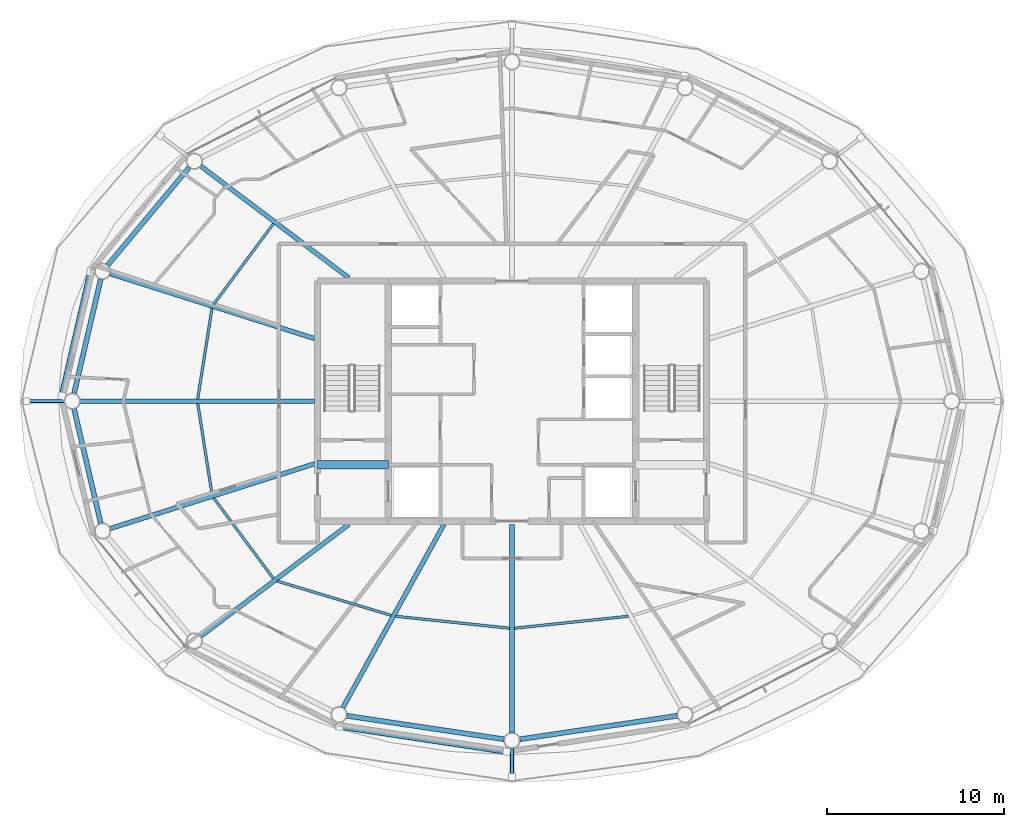
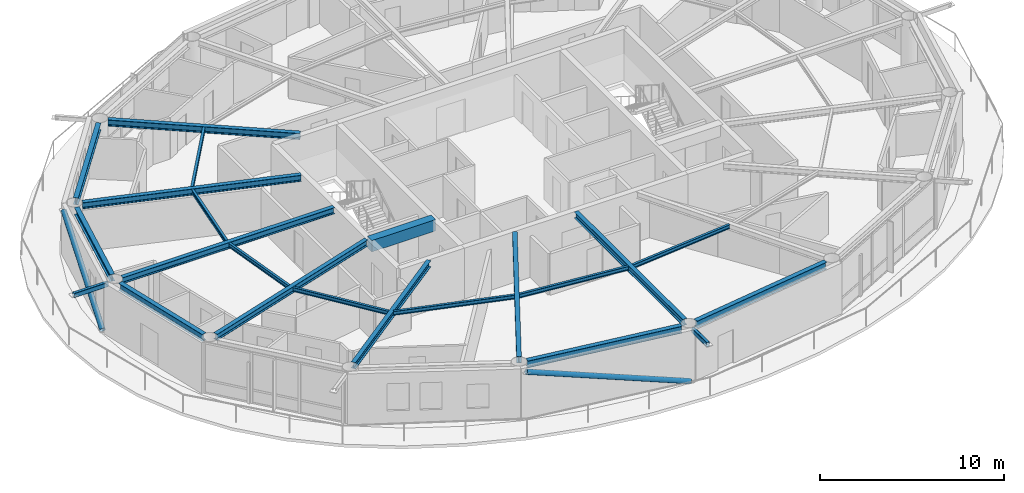
# One storey, part 4 of 22: 20 beams, 4 members.
"""IFC4 building model written with IfcOpenShell, lengths in metres."""

from ifc_helpers import new_model, si_unit, direction, frame, origin, origin_2d, place, context, subcontext, project, spatial, rectangle, hollow_rectangle, hollow_circle, i_section, extrude, material, material_profile, profile_set, type_object, element, save


model = new_model("IFC4")

# Units and contexts
model_context = context("Model", 3, precision=1e-05, world=origin(), true_north=direction((0.0, 1.0)))
body_context = subcontext(model_context, "Body", "Model", "MODEL_VIEW")
ifc_project = project(units=[si_unit("LENGTHUNIT", "METRE"), si_unit("AREAUNIT", "SQUARE_METRE"), si_unit("VOLUMEUNIT", "CUBIC_METRE"), si_unit("PLANEANGLEUNIT", "RADIAN"), si_unit("MASSUNIT", "GRAM", prefix="KILO")], contexts=[model_context])

# Site, building, storey
site_placement = place(None, origin())
site = spatial("IfcSite", under=ifc_project, at=site_placement, CompositionType="ELEMENT")
building_placement = place(site_placement, origin())
building = spatial("IfcBuilding", under=site, at=building_placement, Name="Sarneth Arch Tower", CompositionType="ELEMENT")
storey_placement = place(building_placement, frame((0.0, 0.0, 291.0)))
storey = spatial("IfcBuildingStorey", under=building, at=storey_placement, Name="L75", CompositionType="ELEMENT", Elevation=291.0)

# Beams
ifc_material_1 = material(Name="Steel S355", Category="steel")
ifc_material_profile_1 = material_profile(ifc_material_1, i_section(OverallWidth=0.14794921875, OverallDepth=0.26611328125, WebThickness=0.007568359375, FlangeThickness=0.012939453125, FilletRadius=0.012939453125, at=origin_2d()), Name="W250x44.8")
ifc_profile_set_1 = profile_set([ifc_material_profile_1], Name="Steel S355")
beam_type_1 = type_object("IfcBeamType", Name="BM-JOIST-250", PredefinedType="JOIST", material=ifc_profile_set_1)
beam_1_placement = place(storey_placement, frame((34.4970703125, 52.03564453125, 3.237060546875), z_axis=(-0.595712519616, -0.803197730309, 0.0), x_axis=(0.803197730309, -0.595712519616, 0.0)))
element("IfcBeam", 1, at=beam_1_placement, inside=storey, type_object=beam_type_1, Name="L75 Secondary floor joist 07", PredefinedType="JOIST", context=body_context, shape_type="SweptSolid", body=[
    extrude(i_section(OverallWidth=0.14794921875, OverallDepth=0.26611328125, WebThickness=0.007568359375, FlangeThickness=0.012939453125, FilletRadius=0.012939453125, at=origin_2d()), origin(), (0.0, 0.0, 1.0), 5.669189453125),
])
for number, where, z_axis, x_axis, name in (
    (2, (31.0224609375, 47.249267578125, 3.237060546875), (-0.155556266572, -0.987827033407, 0.0), (0.987827033407, -0.155556266572, 0.0), "L75 Secondary floor joist 08"),
    (3, (30.216064453125, 41.87158203125, 3.237060546875), (0.155556266572, -0.987827033407, 0.0), (0.987827033407, 0.155556266572, 0.0), "L75 Secondary floor joist 09"),
):
    element("IfcBeam", number, at=place(storey_placement, frame(where, z_axis=z_axis, x_axis=x_axis)), inside=storey, type_object=beam_type_1, Name=name, PredefinedType="JOIST", context=body_context, shape_type="SweptSolid", body=[
        extrude(i_section(OverallWidth=0.14794921875, OverallDepth=0.26611328125, WebThickness=0.007568359375, FlangeThickness=0.012939453125, FilletRadius=0.012939453125, at=origin_2d()), origin(), (0.0, 0.0, 1.0), 5.183837890625),
    ])
beam_2_placement = place(storey_placement, frame((31.119873046875, 36.517822265625, 3.237060546875), z_axis=(0.595712519616, -0.803197730309, 0.0), x_axis=(0.803197730309, 0.595712519616, 0.0)))
element("IfcBeam", 4, at=beam_2_placement, inside=storey, type_object=beam_type_1, Name="L75 Secondary floor joist 10", PredefinedType="JOIST", context=body_context, shape_type="SweptSolid", body=[
    extrude(i_section(OverallWidth=0.14794921875, OverallDepth=0.26611328125, WebThickness=0.007568359375, FlangeThickness=0.012939453125, FilletRadius=0.012939453125, at=origin_2d()), origin(), (0.0, 0.0, 1.0), 5.669189453125),
])
beam_3_placement = place(storey_placement, frame((34.698974609375, 31.822509765625, 3.237060546875), z_axis=(0.95760703602, -0.288077705776, 0.0), x_axis=(0.288077705776, 0.95760703602, 0.0)))
element("IfcBeam", 5, at=beam_3_placement, inside=storey, type_object=beam_type_1, Name="L75 Secondary floor joist 11", PredefinedType="JOIST", context=body_context, shape_type="SweptSolid", body=[
    extrude(i_section(OverallWidth=0.14794921875, OverallDepth=0.26611328125, WebThickness=0.007568359375, FlangeThickness=0.012939453125, FilletRadius=0.012939453125, at=origin_2d()), origin(), (0.0, 0.0, 1.0), 6.7509765625),
])
for number, where, z_axis, x_axis, name in (
    (6, (41.417724609375, 29.82666015625, 3.237060546875), (0.994564879221, -0.104118687178, 0.0), (0.104118687178, 0.994564879221, 0.0), "L75 Secondary floor joist 12"),
    (7, (48.12939453125, 29.151123046875, 3.237060546875), (0.994564879221, 0.104118687178, 0.0), (-0.104118687178, 0.994564879221, 0.0), "L75 Secondary floor joist 13"),
):
    element("IfcBeam", number, at=place(storey_placement, frame(where, z_axis=z_axis, x_axis=x_axis)), inside=storey, type_object=beam_type_1, Name=name, PredefinedType="JOIST", context=body_context, shape_type="SweptSolid", body=[
        extrude(i_section(OverallWidth=0.14794921875, OverallDepth=0.26611328125, WebThickness=0.007568359375, FlangeThickness=0.012939453125, FilletRadius=0.012939453125, at=origin_2d()), origin(), (0.0, 0.0, 1.0), 6.488037109375),
    ])
ifc_material_2 = material(Name="Concrete C50/60", Category="concrete")
ifc_material_profile_2 = material_profile(ifc_material_2, rectangle(XDim=0.5, YDim=0.75, at=origin_2d()), Name="RC-500x750")
ifc_profile_set_2 = profile_set([ifc_material_profile_2], Name="Concrete C50/60")
beam_type_2 = type_object("IfcBeamType", Name="BM-LINTEL-RC", PredefinedType="LINTEL", material=ifc_profile_set_2)
beam_4_placement = place(storey_placement, frame((37.0, 38.39990234375, 2.9951171875), z_axis=(1.0, 0.0, 0.0), x_axis=(0.0, 1.0, 0.0)))
element("IfcBeam", 8, at=beam_4_placement, inside=storey, type_object=beam_type_2, Name="L75 Core coupling lintel W", PredefinedType="LINTEL", context=body_context, shape_type="SweptSolid", body=[
    extrude(rectangle(XDim=0.5, YDim=0.75, at=origin_2d()), origin(), (0.0, 0.0, 1.0), 4.0),
])
ifc_material_3 = material(Name="Steel S355", Category="steel")
ifc_material_profile_3 = material_profile(ifc_material_3, i_section(OverallWidth=0.260009765625, OverallDepth=0.4150390625, WebThickness=0.010009765625, FlangeThickness=0.016845703125, FilletRadius=0.01611328125, at=origin_2d()), Name="W410x100")
ifc_profile_set_3 = profile_set([ifc_material_profile_3], Name="Steel S355")
beam_type_3 = type_object("IfcBeamType", Name="BM-RAD-410A", PredefinedType="BEAM", material=ifc_profile_set_3)
beam_5_placement = place(storey_placement, frame((38.76513671875, 48.97509765625, 3.16259765625), z_axis=(-0.797981595352, 0.602681817777, 0.0), x_axis=(-0.602681817777, -0.797981595352, 0.0)))
element("IfcBeam", 9, at=beam_5_placement, inside=storey, type_object=beam_type_3, Name="L75 Radial floor girder 07", PredefinedType="BEAM", context=body_context, shape_type="SweptSolid", body=[
    extrude(i_section(OverallWidth=0.260009765625, OverallDepth=0.4150390625, WebThickness=0.010009765625, FlangeThickness=0.016845703125, FilletRadius=0.01611328125, at=origin_2d()), origin(), (0.0, 0.0, 1.0), 10.503173828125),
])
beam_6_placement = place(storey_placement, frame((36.824951171875, 45.5439453125, 3.16259765625), z_axis=(-0.95321762769, 0.302284889237, 0.0), x_axis=(-0.302284889237, -0.95321762769, 0.0)))
element("IfcBeam", 10, at=beam_6_placement, inside=storey, type_object=beam_type_3, Name="L75 Radial floor girder 08", PredefinedType="BEAM", context=body_context, shape_type="SweptSolid", body=[
    extrude(i_section(OverallWidth=0.260009765625, OverallDepth=0.4150390625, WebThickness=0.010009765625, FlangeThickness=0.016845703125, FilletRadius=0.01611328125, at=origin_2d()), origin(), (0.0, 0.0, 1.0), 12.132568359375),
])
beam_7_placement = place(storey_placement, frame((36.824951171875, 42.0, 3.16259765625), z_axis=(-1.0, 0.0, 0.0), x_axis=(0.0, -1.0, 0.0)))
element("IfcBeam", 11, at=beam_7_placement, inside=storey, type_object=beam_type_3, Name="L75 Radial floor girder 09", PredefinedType="BEAM", context=body_context, shape_type="SweptSolid", body=[
    extrude(i_section(OverallWidth=0.260009765625, OverallDepth=0.4150390625, WebThickness=0.010009765625, FlangeThickness=0.016845703125, FilletRadius=0.01611328125, at=origin_2d()), origin(), (0.0, 0.0, 1.0), 13.258056640625),
])
beam_8_placement = place(storey_placement, frame((36.824951171875, 38.4560546875, 3.16259765625), z_axis=(-0.95321762769, -0.302284889237, 0.0), x_axis=(0.302284889237, -0.95321762769, 0.0)))
element("IfcBeam", 12, at=beam_8_placement, inside=storey, type_object=beam_type_3, Name="L75 Radial floor girder 10", PredefinedType="BEAM", context=body_context, shape_type="SweptSolid", body=[
    extrude(i_section(OverallWidth=0.260009765625, OverallDepth=0.4150390625, WebThickness=0.010009765625, FlangeThickness=0.016845703125, FilletRadius=0.01611328125, at=origin_2d()), origin(), (0.0, 0.0, 1.0), 12.132568359375),
])
beam_9_placement = place(storey_placement, frame((38.76513671875, 35.02490234375, 3.16259765625), z_axis=(-0.797981595352, -0.602681817777, 0.0), x_axis=(0.602681817777, -0.797981595352, 0.0)))
element("IfcBeam", 13, at=beam_9_placement, inside=storey, type_object=beam_type_3, Name="L75 Radial floor girder 11", PredefinedType="BEAM", context=body_context, shape_type="SweptSolid", body=[
    extrude(i_section(OverallWidth=0.260009765625, OverallDepth=0.4150390625, WebThickness=0.010009765625, FlangeThickness=0.016845703125, FilletRadius=0.01611328125, at=origin_2d()), origin(), (0.0, 0.0, 1.0), 10.503173828125),
])
beam_10_placement = place(storey_placement, frame((44.150146484375, 35.02490234375, 3.16259765625), z_axis=(-0.483229367873, -0.875493790969, 0.0), x_axis=(0.875493790969, -0.483229367873, 0.0)))
element("IfcBeam", 14, at=beam_10_placement, inside=storey, type_object=beam_type_3, Name="L75 Radial floor girder 12", PredefinedType="BEAM", context=body_context, shape_type="SweptSolid", body=[
    extrude(i_section(OverallWidth=0.260009765625, OverallDepth=0.4150390625, WebThickness=0.010009765625, FlangeThickness=0.016845703125, FilletRadius=0.01611328125, at=origin_2d()), origin(), (0.0, 0.0, 1.0), 11.843994140625),
])
beam_11_placement = place(storey_placement, frame((48.0, 35.02490234375, 3.16259765625), z_axis=(0.0, -1.0, 0.0), x_axis=(1.0, 0.0, 0.0)))
element("IfcBeam", 15, at=beam_11_placement, inside=storey, type_object=beam_type_3, Name="L75 Radial floor girder 13", PredefinedType="BEAM", context=body_context, shape_type="SweptSolid", body=[
    extrude(i_section(OverallWidth=0.260009765625, OverallDepth=0.4150390625, WebThickness=0.010009765625, FlangeThickness=0.016845703125, FilletRadius=0.01611328125, at=origin_2d()), origin(), (0.0, 0.0, 1.0), 11.77490234375),
])
ifc_material_4 = material(Name="Steel S355", Category="steel")
ifc_material_profile_4 = material_profile(ifc_material_4, i_section(OverallWidth=0.280029296875, OverallDepth=0.462890625, WebThickness=0.0107421875, FlangeThickness=0.017333984375, FilletRadius=0.01806640625, at=origin_2d()), Name="W460x113")
ifc_profile_set_4 = profile_set([ifc_material_profile_4], Name="Steel S355")
beam_type_4 = type_object("IfcBeamType", Name="BM-RAD-460A", PredefinedType="BEAM", material=ifc_profile_set_4)
beam_12_placement = place(storey_placement, frame((29.736572265625, 55.230712890625, 3.138427734375), z_axis=(-0.640390876881, -0.768049168222, 0.0), x_axis=(0.768049168222, -0.640390876881, 0.0)))
element("IfcBeam", 16, at=beam_12_placement, inside=storey, type_object=beam_type_4, Name="L75 Perimeter spandrel beam 07", PredefinedType="BEAM", context=body_context, shape_type="SweptSolid", body=[
    extrude(i_section(OverallWidth=0.280029296875, OverallDepth=0.462890625, WebThickness=0.0107421875, FlangeThickness=0.017333984375, FilletRadius=0.01806640625, at=origin_2d()), origin(), (0.0, 0.0, 1.0), 7.2099609375),
])
for number, where, z_axis, x_axis, name in (
    (17, (24.72900390625, 48.9091796875, 3.138427734375), (-0.227247037844, -0.973837144389, 0.0), (0.973837144389, -0.227247037844, 0.0), "L75 Perimeter spandrel beam 08"),
    (18, (23.218994140625, 41.561767578125, 3.138427734375), (0.227247037844, -0.973837144389, 0.0), (0.973837144389, 0.227247037844, 0.0), "L75 Perimeter spandrel beam 09"),
):
    element("IfcBeam", number, at=place(storey_placement, frame(where, z_axis=z_axis, x_axis=x_axis)), inside=storey, type_object=beam_type_4, Name=name, PredefinedType="BEAM", context=body_context, shape_type="SweptSolid", body=[
        extrude(i_section(OverallWidth=0.280029296875, OverallDepth=0.462890625, WebThickness=0.0107421875, FlangeThickness=0.017333984375, FilletRadius=0.01806640625, at=origin_2d()), origin(), (0.0, 0.0, 1.0), 6.644775390625),
    ])
for number, where, z_axis, x_axis, name in (
    (19, (38.654296875, 24.195068359375, 3.138427734375), (0.989041765772, -0.147635990052, 0.0), (0.147635990052, 0.989041765772, 0.0), "L75 Perimeter spandrel beam 12"),
    (20, (48.445068359375, 22.866455078125, 3.138427734375), (0.989041765772, 0.147635990052, 0.0), (-0.147635990052, 0.989041765772, 0.0), "L75 Perimeter spandrel beam 13"),
):
    element("IfcBeam", number, at=place(storey_placement, frame(where, z_axis=z_axis, x_axis=x_axis)), inside=storey, type_object=beam_type_4, Name=name, PredefinedType="BEAM", context=body_context, shape_type="SweptSolid", body=[
        extrude(i_section(OverallWidth=0.280029296875, OverallDepth=0.462890625, WebThickness=0.0107421875, FlangeThickness=0.017333984375, FilletRadius=0.01806640625, at=origin_2d()), origin(), (0.0, 0.0, 1.0), 8.999267578125),
    ])

# Members
ifc_material_5 = material(Name="Steel S355", Category="steel")
ifc_material_profile_5 = material_profile(ifc_material_5, hollow_rectangle(XDim=0.199951171875, YDim=0.300048828125, WallThickness=0.012451171875, InnerFilletRadius=0.018798828125, OuterFilletRadius=0.03125, at=origin_2d()), Name="RHS300x200x12.5")
ifc_profile_set_5 = profile_set([ifc_material_profile_5], Name="Steel S355")
member_type_1 = type_object("IfcMemberType", Name="MEM-CANT-STRUT", PredefinedType="STRUT", material=ifc_profile_set_5)
member_1_placement = place(storey_placement, frame((22.666748046875, 42.0, 3.2099609375), z_axis=(-1.0, 0.0, 0.0), x_axis=(0.0, -1.0, 0.0)))
element("IfcMember", 21, at=member_1_placement, inside=storey, type_object=member_type_1, Name="L75 Balcony cantilever bracket 09", PredefinedType="STRUT", context=body_context, shape_type="SweptSolid", body=[
    extrude(hollow_rectangle(XDim=0.199951171875, YDim=0.300048828125, WallThickness=0.012451171875, InnerFilletRadius=0.018798828125, OuterFilletRadius=0.03125, at=origin_2d()), origin(), (0.0, 0.0, 1.0), 2.1298828125),
])
member_2_placement = place(storey_placement, frame((48.0, 22.35009765625, 3.2099609375), z_axis=(0.0, -1.0, 0.0), x_axis=(1.0, 0.0, 0.0)))
element("IfcMember", 22, at=member_2_placement, inside=storey, type_object=member_type_1, Name="L75 Balcony cantilever bracket 13", PredefinedType="STRUT", context=body_context, shape_type="SweptSolid", body=[
    extrude(hollow_rectangle(XDim=0.199951171875, YDim=0.300048828125, WallThickness=0.012451171875, InnerFilletRadius=0.018798828125, OuterFilletRadius=0.03125, at=origin_2d()), origin(), (0.0, 0.0, 1.0), 1.6201171875),
])
ifc_material_6 = material(Name="Steel S355", Category="steel")
ifc_material_profile_6 = material_profile(ifc_material_6, hollow_circle(Radius=0.162109375, WallThickness=0.012451171875, at=origin_2d()), Name="CHS324x12.5")
ifc_profile_set_6 = profile_set([ifc_material_profile_6], Name="Steel S355")
member_type_2 = type_object("IfcMemberType", Name="MEM-DIAG-BR3", PredefinedType="BRACE", material=ifc_profile_set_6)
member_3_placement = place(storey_placement, frame((22.5234375, 42.292236328125, 0.02001953125), z_axis=(0.207343373373, 0.896265487877, 0.392067469651), x_axis=(-0.974268900284, 0.225388797281, 0.0)))
element("IfcMember", 23, at=member_3_placement, inside=storey, type_object=member_type_2, Name="L75 Perimeter frame diagonal 08", PredefinedType="BRACE", context=body_context, shape_type="SweptSolid", body=[
    extrude(hollow_circle(Radius=0.162109375, WallThickness=0.012451171875, at=origin_2d()), origin(), (0.0, 0.0, 1.0), 7.836181640625),
])
member_4_placement = place(storey_placement, frame((47.703369140625, 22.16455078125, 0.02001953125), z_axis=(-0.941471055877, 0.141762627625, 0.305835917372), x_axis=(-0.148897148305, -0.988852688335, 0.0)))
element("IfcMember", 24, at=member_4_placement, inside=storey, type_object=member_type_2, Name="L75 Perimeter frame diagonal 12", PredefinedType="BRACE", context=body_context, shape_type="SweptSolid", body=[
    extrude(hollow_circle(Radius=0.162109375, WallThickness=0.012451171875, at=origin_2d()), origin(), (0.0, 0.0, 1.0), 10.04541015625),
])

save(model, "model.ifc")
